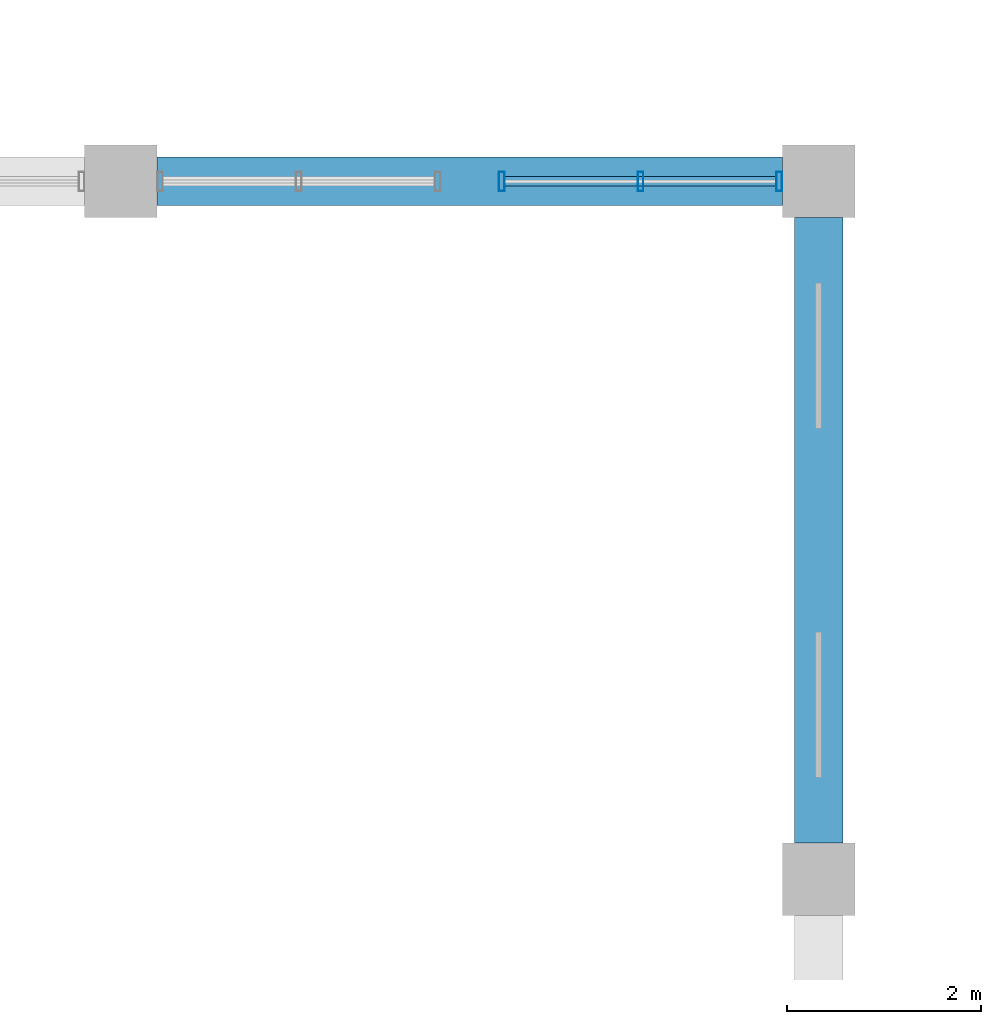
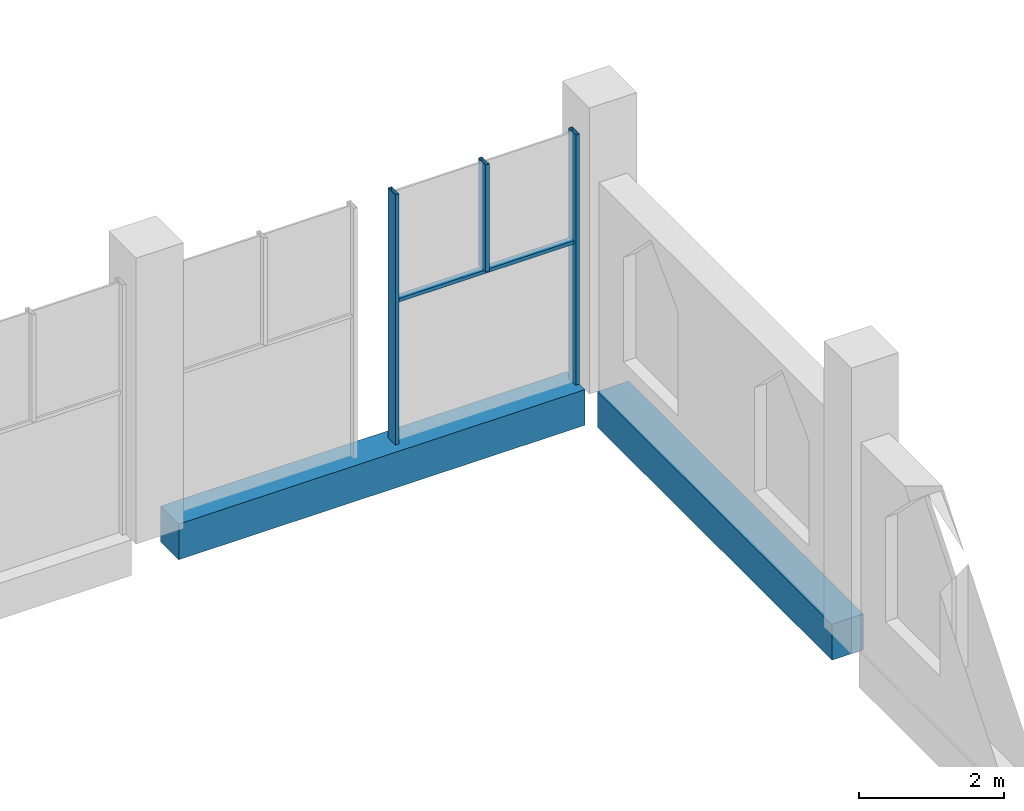
# One storey, part 14 of 30: 4 members, 2 beams, 1 element without a shape of its own.
"""IFC4 building model written with IfcOpenShell, lengths in metres."""

import ifcopenshell
import ifcopenshell.guid

model = None  # the IFC model being written
_history = None  # IfcOwnerHistory: only IFC2X3 demands one
_inside = {}  # id of a spatial element -> (the spatial element, [elements in it])
_under = {}  # id of a project, library or spatial element -> (it, [spatial elements below it])
_declared = {}  # id of a project -> (the project, [libraries it declares])
_typed = {}  # id of a type object -> (the type object, [elements of that type])
_made_of = {}  # id of a material, layer set ... -> (it, [elements and type objects made of it])


def new_model(schema):
    """Start an empty IFC model of exactly this schema.

    Asked for "IFC4X3", IfcOpenShell would pick the latest addendum, in which some entities
    have other attributes; the version numbers below select the first issue.
    IFC2X3 requires an IfcOwnerHistory on every rooted entity: one is made here for all.
    """
    global model, _history
    if schema == "IFC4X3":
        model = ifcopenshell.file(schema_version=(4, 3, 0, 0))
    else:
        model = ifcopenshell.file(schema=schema)
    _inside.clear()
    _under.clear()
    _declared.clear()
    _typed.clear()
    _made_of.clear()
    _history = None
    if model.schema == "IFC2X3":
        org = make("IfcOrganization", Name="unknown")
        user = make(
            "IfcPersonAndOrganization",
            ThePerson=make("IfcPerson", FamilyName="unknown"),
            TheOrganization=org,
        )
        app = make(
            "IfcApplication",
            ApplicationDeveloper=org,
            Version="unknown",
            ApplicationFullName="unknown",
            ApplicationIdentifier="unknown",
        )
        _history = make(
            "IfcOwnerHistory",
            OwningUser=user,
            OwningApplication=app,
            ChangeAction="ADDED",
            CreationDate=0,
        )
    return model


def make(cls, **values):
    """One entity of the class cls with the attributes given. An attribute that is None is left unset."""
    return model.create_entity(
        cls, **{name: value for name, value in values.items() if value is not None}
    )


def rooted(cls, **values):
    """An entity with a GlobalId (a new one), such as an element, a storey or a relation."""
    return make(cls, GlobalId=ifcopenshell.guid.new(), OwnerHistory=_history, **values)


def si_unit(unit_type, name, prefix=None):
    """IfcSIUnit, for example si_unit("LENGTHUNIT", "METRE", prefix="MILLI")."""
    return make("IfcSIUnit", UnitType=unit_type, Prefix=prefix, Name=name)


def assignment(units):
    """IfcUnitAssignment: the units of a project."""
    return None if units is None else make("IfcUnitAssignment", Units=units)


def point(xyz):
    """IfcCartesianPoint."""
    return None if xyz is None else make("IfcCartesianPoint", Coordinates=xyz)


def direction(xyz):
    """IfcDirection."""
    return None if xyz is None else make("IfcDirection", DirectionRatios=xyz)


def frame(location, z_axis=None, x_axis=None):
    """IfcAxis2Placement3D, a coordinate frame: its origin and axes. An axis left out is left unset."""
    return make(
        "IfcAxis2Placement3D",
        Location=point(location),
        Axis=direction(z_axis),
        RefDirection=direction(x_axis),
    )


def frame_2d(location, x_axis=None):
    """IfcAxis2Placement2D, a coordinate frame in the plane: its origin and x axis."""
    return make(
        "IfcAxis2Placement2D", Location=point(location), RefDirection=direction(x_axis)
    )


def origin():
    """The frame at (0, 0, 0) with its axes left unset."""
    return frame((0.0, 0.0, 0.0))


def origin_2d():
    """The frame at (0, 0) in the plane with its x axis left unset."""
    return frame_2d((0.0, 0.0))


def place(relative_to, where):
    """IfcLocalPlacement: puts the frame where relative to a parent placement (None: the world)."""
    return make(
        "IfcLocalPlacement", PlacementRelTo=relative_to, RelativePlacement=where
    )


def context(
    kind, dimensions, precision=None, world=None, true_north=None, identifier=None
):
    """IfcGeometricRepresentationContext, for example the 3D "Model" context."""
    return make(
        "IfcGeometricRepresentationContext",
        ContextIdentifier=identifier,
        ContextType=kind,
        CoordinateSpaceDimension=dimensions,
        Precision=precision,
        WorldCoordinateSystem=world,
        TrueNorth=true_north,
    )


def subcontext(parent, identifier, kind, view, scale=None):
    """IfcGeometricRepresentationSubContext, for example "Body" below "Model"."""
    return make(
        "IfcGeometricRepresentationSubContext",
        ContextIdentifier=identifier,
        ContextType=kind,
        ParentContext=parent,
        TargetScale=scale,
        TargetView=view,
    )


def project(units=None, contexts=None):
    """IfcProject with its units and contexts."""
    return rooted(
        "IfcProject",
        Name="project",
        RepresentationContexts=contexts,
        UnitsInContext=assignment(units),
    )


def spatial(cls, under=None, at=None, **own):
    """A site, building, storey or space (cls), placed at a placement, below another one or the project."""
    s = rooted(cls, ObjectPlacement=at, **own)
    if under is not None:
        _under.setdefault(under.id(), (under, []))[1].append(s)
    return s


def profile(cls, at=None, kind="AREA", **sizes):
    """A parametric profile (cls). Its sizes go by their IFC names, for example OverallWidth=200.0."""
    return make(cls, ProfileType=kind, Position=at, **sizes)


def rectangle(**sizes):
    """IfcRectangleProfileDef."""
    return profile("IfcRectangleProfileDef", **sizes)


def hollow_rectangle(**sizes):
    """IfcRectangleHollowProfileDef."""
    return profile("IfcRectangleHollowProfileDef", **sizes)


def extrude(swept, where, along, depth):
    """IfcExtrudedAreaSolid: the profile swept, set in the frame where, extruded along a direction by depth."""
    return make(
        "IfcExtrudedAreaSolid",
        SweptArea=swept,
        Position=where,
        ExtrudedDirection=direction(along),
        Depth=depth,
    )


def shape(context_of_items, identifier, shape_type, items):
    """IfcShapeRepresentation: the items that make up one representation, for example the "Body"."""
    return make(
        "IfcShapeRepresentation",
        ContextOfItems=context_of_items,
        RepresentationIdentifier=identifier,
        RepresentationType=shape_type,
        Items=items,
    )


def material(Name=None, Category=None):
    """IfcMaterial."""
    return make("IfcMaterial", Name=Name, Category=Category)


def material_profile(
    of_material, cross_section, Name=None, Category=None, Priority=None
):
    """IfcMaterialProfile: a cross section and its material."""
    return make(
        "IfcMaterialProfile",
        Name=Name,
        Material=of_material,
        Profile=cross_section,
        Priority=Priority,
        Category=Category,
    )


def profile_set(profiles, Name=None, composite=None):
    """IfcMaterialProfileSet."""
    return make(
        "IfcMaterialProfileSet",
        Name=Name,
        MaterialProfiles=profiles,
        CompositeProfile=composite,
    )


def made_of(thing, what):
    """Note that an element or type object is made of a material, layer set ...; save() writes the relation."""
    if what is not None:
        _made_of.setdefault(what.id(), (what, []))[1].append(thing)
    return thing


def type_object(cls, material=None, **own):
    """A type object (cls), such as IfcWallType, which elements share."""
    return made_of(rooted(cls, **own), material)


def element(
    cls,
    number,
    at=None,
    inside=None,
    cuts=None,
    type_object=None,
    material=None,
    context=None,
    identifier="Body",
    shape_type=None,
    held_by="IfcProductDefinitionShape",
    body=None,
    shapes=None,
    **own,
):
    """One element of the class cls, such as IfcWall. Its Tag is "e" and its number.

    at: its placement. inside: the storey or other place that contains it. cuts: it is an
    opening in that element (IfcRelVoidsElement). A single representation is given by context,
    identifier, shape_type and body (its items); several are given by shapes. held_by: the class
    of the entity that holds the representations. save() writes the other relations.
    """
    e = rooted(cls, Tag="e%d" % number, ObjectPlacement=at, **own)
    if body is not None:
        shapes = [shape(context, identifier, shape_type, body)]
    if shapes is not None:
        e.Representation = make(held_by, Representations=shapes)
    if inside is not None:
        _inside.setdefault(inside.id(), (inside, []))[1].append(e)
    if cuts is not None:
        rooted(
            "IfcRelVoidsElement", RelatingBuildingElement=cuts, RelatedOpeningElement=e
        )
    if type_object is not None:
        _typed.setdefault(type_object.id(), (type_object, []))[1].append(e)
    return made_of(e, material)


def aggregate(whole, parts):
    """IfcRelAggregates: a whole, such as a stair, and the parts it consists of."""
    return rooted("IfcRelAggregates", RelatingObject=whole, RelatedObjects=parts)


def save(model, path):
    """Write the relations noted so far, then the file.

    IfcRelAggregates (storeys below a building ...), IfcRelContainedInSpatialStructure (elements
    in a storey), IfcRelDefinesByType, IfcRelAssociatesMaterial and IfcRelDeclares: one each for
    every whole, place, type object, material and project.
    """
    for whole, parts in _under.values():
        aggregate(whole, parts)
    for where, things in _inside.values():
        rooted(
            "IfcRelContainedInSpatialStructure",
            RelatedElements=things,
            RelatingStructure=where,
        )
    for kind, things in _typed.values():
        rooted("IfcRelDefinesByType", RelatedObjects=things, RelatingType=kind)
    for what, things in _made_of.values():
        rooted("IfcRelAssociatesMaterial", RelatedObjects=things, RelatingMaterial=what)
    for by, libraries in _declared.values():
        rooted("IfcRelDeclares", RelatingContext=by, RelatedDefinitions=libraries)
    model.write(path)


model = new_model("IFC4")

# Units and contexts
model_context = context("Model", 3, precision=1e-05, world=origin(), true_north=direction((0.0, 1.0)))
body_context = subcontext(model_context, "Body", "Model", "MODEL_VIEW")
ifc_project = project(units=[si_unit("LENGTHUNIT", "METRE"), si_unit("AREAUNIT", "SQUARE_METRE"), si_unit("VOLUMEUNIT", "CUBIC_METRE"), si_unit("PLANEANGLEUNIT", "RADIAN"), si_unit("MASSUNIT", "GRAM", prefix="KILO")], contexts=[model_context])

# Site, building, storey
site_placement = place(None, origin())
site = spatial("IfcSite", under=ifc_project, at=site_placement, CompositionType="ELEMENT")
building_placement = place(site_placement, origin())
building = spatial("IfcBuilding", under=site, at=building_placement, Name="Silangan Lancet Faculty of Sciences", CompositionType="ELEMENT")
storey_placement = place(building_placement, frame((0.0, 0.0, 31.199951171875)))
storey = spatial("IfcBuildingStorey", under=building, at=storey_placement, Name="L06", CompositionType="ELEMENT", Elevation=31.199951171875)

# Beams
ifc_material_1 = material(Name="Concrete C40/50", Category="concrete")
ifc_material_profile_1 = material_profile(ifc_material_1, rectangle(XDim=0.5, YDim=0.60009765625, at=origin_2d()), Name="RC 500x600")
ifc_profile_set_1 = profile_set([ifc_material_profile_1], Name="Concrete C40/50")
beam_type = type_object("IfcBeamType", Name="BEAM RC 500x600", PredefinedType="BEAM", material=ifc_profile_set_1)
for number, where, z_axis, x_axis, name in (
    (1, (43.574951171875, 36.0, -0.300048828125), (1.0, 0.0, 0.0), (0.0, 1.0, 0.0), "BM-L06-7F-8F"),
    (2, (50.39990234375, 29.175048828125, -0.300048828125), (0.0, 1.0, 0.0), (-1.0, 0.0, 0.0), "BM-L06-8E-8F"),
):
    element("IfcBeam", number, at=place(storey_placement, frame(where, z_axis=z_axis, x_axis=x_axis)), inside=storey, type_object=beam_type, Name=name, PredefinedType="BEAM", context=body_context, shape_type="SweptSolid", body=[
        extrude(rectangle(XDim=0.5, YDim=0.60009765625, at=origin_2d()), origin(), (0.0, 0.0, 1.0), 6.449951171875),
    ])

# Curtain wall, members
ifc_material_2 = material(Name="Aluminium framed curtain wall with insulated glass", Category="aluminium")
curtain_wall_type = type_object("IfcCurtainWallType", Name="CW5 Nave north light glazing", PredefinedType="NOTDEFINED", material=ifc_material_2)
curtain_wall_placement = place(storey_placement, origin())
curtain_wall = element("IfcCurtainWall", 3, at=curtain_wall_placement, inside=storey, type_object=curtain_wall_type, Name="CW5 Nave north lights L06 bay 1", PredefinedType="NOTDEFINED")
ifc_material_3 = material(Name="Aluminium 6063-T6 extrusion", Category="aluminium")
ifc_material_profile_2 = material_profile(ifc_material_3, hollow_rectangle(XDim=0.06005859375, YDim=0.199951171875, WallThickness=0.00390625, at=origin_2d()), Name="AL BOX 60x200x4")
ifc_profile_set_2 = profile_set([ifc_material_profile_2], Name="Aluminium 6063-T6 extrusion")
member_type_1 = type_object("IfcMemberType", Name="CM1 Mullion 60x200", PredefinedType="MULLION", material=ifc_profile_set_2)
member_1_placement = place(storey_placement, frame((49.9951171875, 36.0, 0.0), z_axis=(0.0, 0.0, 1.0), x_axis=(-1.0, 0.0, 0.0)))
member_1 = element("IfcMember", 4, at=member_1_placement, type_object=member_type_1, Name="CW5 Nave north lights L06 bay 1 mullion 1", PredefinedType="MULLION", context=body_context, shape_type="SweptSolid", body=[
    extrude(hollow_rectangle(XDim=0.06005859375, YDim=0.199951171875, WallThickness=0.00390625, at=origin_2d()), origin(), (0.0, 0.0, 1.0), 4.199951171875),
])
member_2_placement = place(storey_placement, frame((47.1298828125, 36.0, 0.0), z_axis=(0.0, 0.0, 1.0), x_axis=(-1.0, 0.0, 0.0)))
member_2 = element("IfcMember", 5, at=member_2_placement, type_object=member_type_1, Name="CW5 Nave north lights L06 bay 1 mullion 2", PredefinedType="MULLION", context=body_context, shape_type="SweptSolid", body=[
    extrude(hollow_rectangle(XDim=0.06005859375, YDim=0.199951171875, WallThickness=0.00390625, at=origin_2d()), origin(), (0.0, 0.0, 1.0), 4.199951171875),
])
member_3_placement = place(storey_placement, frame((48.5625, 36.0, 2.400146484375), z_axis=(0.0, 0.0, 1.0), x_axis=(-1.0, 0.0, 0.0)))
member_3 = element("IfcMember", 6, at=member_3_placement, type_object=member_type_1, Name="CW5 Nave north lights L06 bay 1 mullion 3", PredefinedType="MULLION", context=body_context, shape_type="SweptSolid", body=[
    extrude(hollow_rectangle(XDim=0.06005859375, YDim=0.199951171875, WallThickness=0.00390625, at=origin_2d()), origin(), (0.0, 0.0, 1.0), 1.7998046875),
])
ifc_material_4 = material(Name="Aluminium 6063-T6 extrusion", Category="aluminium")
ifc_material_profile_3 = material_profile(ifc_material_4, hollow_rectangle(XDim=0.10009765625, YDim=0.06005859375, WallThickness=0.0029296875, at=origin_2d()), Name="AL BOX 100x60x3")
ifc_profile_set_3 = profile_set([ifc_material_profile_3], Name="Aluminium 6063-T6 extrusion")
member_type_2 = type_object("IfcMemberType", Name="CT1 Transom 100x60", PredefinedType="USERDEFINED", material=ifc_profile_set_3)
member_4_placement = place(storey_placement, frame((49.965087890625, 36.0, 2.3701171875), z_axis=(-1.0, 0.0, 0.0), x_axis=(0.0, -1.0, 0.0)))
member_4 = element("IfcMember", 7, at=member_4_placement, type_object=member_type_2, Name="CW5 Nave north lights L06 bay 1 transom 1", ObjectType="TRANSOM", PredefinedType="USERDEFINED", context=body_context, shape_type="SweptSolid", body=[
    extrude(hollow_rectangle(XDim=0.10009765625, YDim=0.06005859375, WallThickness=0.0029296875, at=origin_2d()), origin(), (0.0, 0.0, 1.0), 2.80517578125),
])
aggregate(curtain_wall, [member_1, member_2, member_3, member_4])

save(model, "model.ifc")
